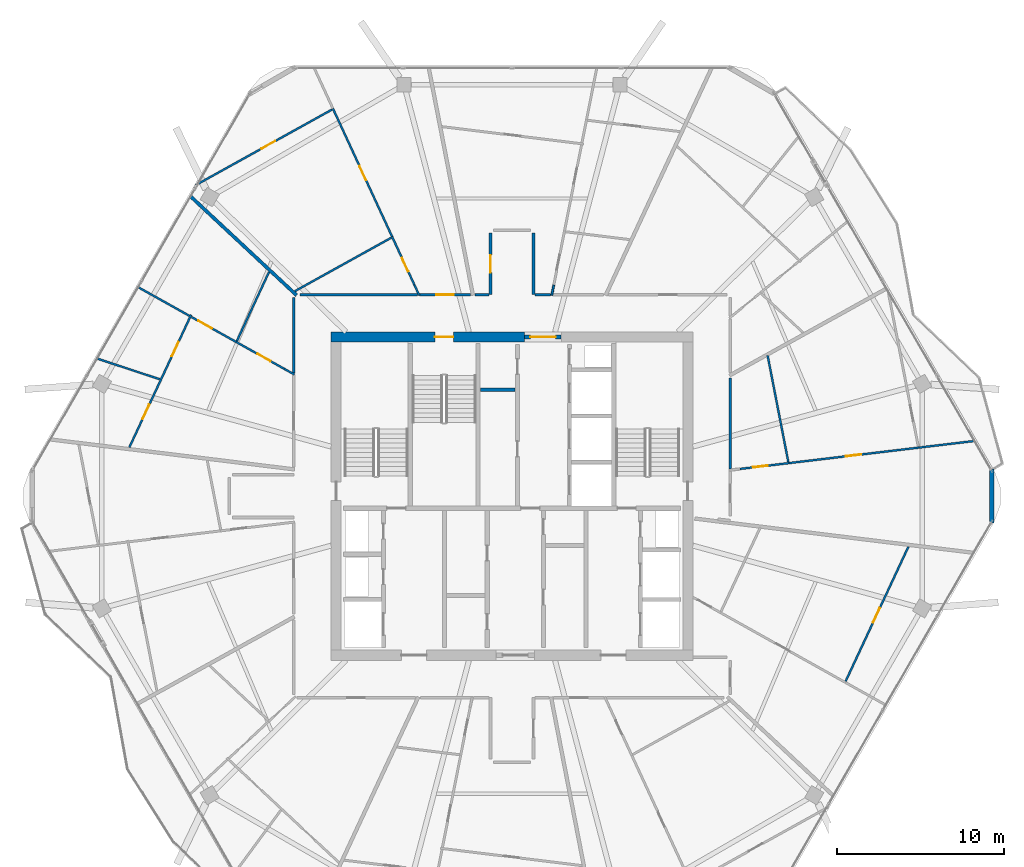
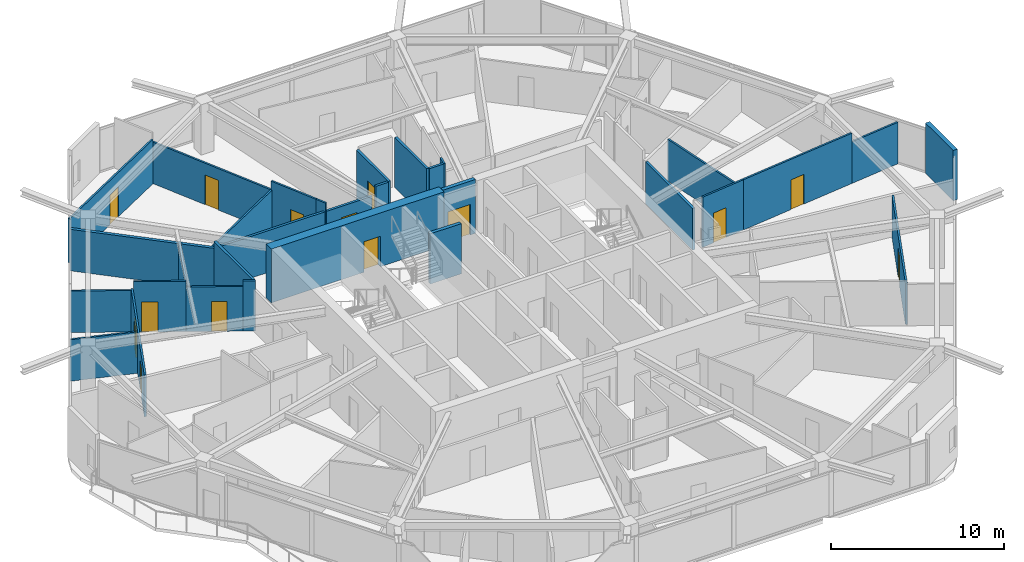
# One storey, part 21 of 26: 31 walls, 14 doors, 14 openings.
"""IFC4 building model written with IfcOpenShell, lengths in metres."""

from ifc_helpers import new_model, si_unit, direction, frame, frame_2d, origin, place, context, subcontext, project, spatial, rectangle, extrude, material, layer, layer_set, type_object, element, fill, save


model = new_model("IFC4")

# Units and contexts
model_context = context("Model", 3, precision=1e-05, world=origin(), true_north=direction((0.0, 1.0)))
body_context = subcontext(model_context, "Body", "Model", "MODEL_VIEW")
ifc_project = project(units=[si_unit("LENGTHUNIT", "METRE"), si_unit("AREAUNIT", "SQUARE_METRE"), si_unit("VOLUMEUNIT", "CUBIC_METRE"), si_unit("PLANEANGLEUNIT", "RADIAN"), si_unit("MASSUNIT", "GRAM", prefix="KILO")], contexts=[model_context])

# Site, building, storey
site_placement = place(None, origin())
site = spatial("IfcSite", under=ifc_project, at=site_placement, CompositionType="ELEMENT")
building_placement = place(site_placement, origin())
building = spatial("IfcBuilding", under=site, at=building_placement, Name="Zuhravey Tower", CompositionType="ELEMENT")
storey_placement = place(building_placement, frame((0.0, 0.0, 273.0)))
storey = spatial("IfcBuildingStorey", under=building, at=storey_placement, Name="L69", CompositionType="ELEMENT", Elevation=273.0)

# Wall, opening, door
ifc_material_1 = material(Name="Concrete C50/60", Category="concrete")
ifc_layer_1 = layer(ifc_material_1, 0.60009765625)
ifc_layer_set_1 = layer_set([ifc_layer_1], Name="Concrete C50/60")
wall_type_1 = type_object("IfcWallType", Name="Core Shear Wall 600", PredefinedType="SHEAR", material=ifc_layer_set_1)
wall_1_placement = place(storey_placement, frame((36.75, 41.5, 0.0), z_axis=(0.0, 0.0, 1.0), x_axis=(-1.0, 0.0, 0.0)))
wall_1 = element("IfcWall", 1, at=wall_1_placement, inside=storey, type_object=wall_type_1, Name="L69 North-West Core Shear Wall CW60", PredefinedType="SHEAR", context=body_context, shape_type="SweptSolid", body=[
    extrude(rectangle(XDim=11.550048828125, YDim=0.60009765625, at=frame_2d((5.77490234375, 0.0))), origin(), (0.0, 0.0, 1.0), 3.800048828125),
])
opening_1_placement = place(wall_1_placement, frame((4.25, 0.0, 0.0)))
opening_1 = element("IfcOpeningElement", 2, at=opening_1_placement, cuts=wall_1, Name="Opening STD1", PredefinedType="OPENING", context=body_context, shape_type="SweptSolid", body=[
    extrude(rectangle(XDim=1.10009765625, YDim=2.14990234375, at=frame_2d((0.550048828125, 1.074951171875))), frame((0.0, 0.31201171875, 0.0), z_axis=(0.0, -1.0, 0.0), x_axis=(1.0, 0.0, 0.0)), (0.0, 0.0, 1.0), 0.6240234375),
])
ifc_material_2 = material(Name="Galvanised fire-rated steel leaf", Category="steel")
door_type_1 = type_object("IfcDoorType", Name="Protected Stair Fire Door 1100x2150", OperationType="NOTDEFINED", PredefinedType="USERDEFINED", material=ifc_material_2)
door_1_placement = place(opening_1_placement, origin())
door_1 = element("IfcDoor", 3, at=door_1_placement, inside=storey, type_object=door_type_1, Name="L69 Stair ST3 Door", ObjectType="EXITDOOR", OperationType="SINGLE_SWING_RIGHT", OverallHeight=2.14990234375, OverallWidth=1.10009765625, PredefinedType="USERDEFINED", context=body_context, shape_type="SweptSolid", body=[
    extrude(rectangle(XDim=1.10009765625, YDim=2.14990234375, at=frame_2d((0.550048828125, 1.074951171875))), frame((0.0, 0.02490234375, 0.0), z_axis=(0.0, -1.0, 0.0), x_axis=(1.0, 0.0, 0.0)), (0.0, 0.0, 1.0), 0.050048828125),
])
fill(opening_1, door_1)

ifc_material_3 = material(Name="Gypsum fire-rated stud partition")
ifc_layer_2 = layer(ifc_material_3, 0.159912109375)
ifc_layer_set_2 = layer_set([ifc_layer_2], Name="Gypsum fire-rated stud partition")
wall_type_2 = type_object("IfcWallType", Name="Corridor Fire Partition 160", PredefinedType="PARTITIONING", material=ifc_layer_set_2)
wall_2_placement = place(storey_placement, frame((34.719970703125, 47.699951171875, 0.0), z_axis=(0.0, 0.0, 1.0), x_axis=(0.0, -1.0, 0.0)))
wall_2 = element("IfcWall", 4, at=wall_2_placement, inside=storey, type_object=wall_type_2, Name="L69 IW16 Partition 065", PredefinedType="PARTITIONING", context=body_context, shape_type="SweptSolid", body=[
    extrude(rectangle(XDim=3.669921875, YDim=0.159912109375, at=frame_2d((1.8349609375, 0.0))), origin(), (0.0, 0.0, 1.0), 3.550048828125),
])
opening_2_placement = place(wall_2_placement, frame((1.31005859375, 0.0, 0.0)))
opening_2 = element("IfcOpeningElement", 5, at=opening_2_placement, cuts=wall_2, Name="Opening APD1", PredefinedType="OPENING", context=body_context, shape_type="SweptSolid", body=[
    extrude(rectangle(XDim=1.050048828125, YDim=2.14990234375, at=frame_2d((0.52490234375, 1.074951171875))), frame((0.0, 0.092041015625, 0.0), z_axis=(0.0, -1.0, 0.0), x_axis=(1.0, 0.0, 0.0)), (0.0, 0.0, 1.0), 0.183837890625),
])
ifc_material_4 = material(Name="Solid-core oak fire-rated leaf")
door_type_2 = type_object("IfcDoorType", Name="Apartment Entrance Fire Door 1050x2150", OperationType="NOTDEFINED", PredefinedType="DOOR", material=ifc_material_4)
door_2_placement = place(opening_2_placement, origin())
door_2 = element("IfcDoor", 6, at=door_2_placement, inside=storey, type_object=door_type_2, Name="L69 Door 065.1", OperationType="SINGLE_SWING_LEFT", OverallHeight=2.14990234375, OverallWidth=1.050048828125, PredefinedType="DOOR", context=body_context, shape_type="SweptSolid", body=[
    extrude(rectangle(XDim=1.050048828125, YDim=2.14990234375, at=frame_2d((0.52490234375, 1.074951171875))), frame((0.0, 0.02490234375, 0.0), z_axis=(0.0, -1.0, 0.0), x_axis=(1.0, 0.0, 0.0)), (0.0, 0.0, 1.0), 0.050048828125),
])
fill(opening_2, door_2)

wall_3_placement = place(storey_placement, frame((33.531982421875, 44.030029296875, 0.0), z_axis=(0.0, 0.0, 1.0), x_axis=(-1.0, 0.0, 0.0)))
wall_3 = element("IfcWall", 7, at=wall_3_placement, inside=storey, type_object=wall_type_2, Name="L69 IW16 Partition 069", PredefinedType="PARTITIONING", context=body_context, shape_type="SweptSolid", body=[
    extrude(rectangle(XDim=3.068603515625, YDim=0.159912109375, at=frame_2d((1.5341796875, 0.0))), origin(), (0.0, 0.0, 1.0), 2.949951171875),
])
opening_3_placement = place(wall_3_placement, frame((1.00927734375, 0.0, 0.0)))
opening_3 = element("IfcOpeningElement", 8, at=opening_3_placement, cuts=wall_3, Name="Opening APD1", PredefinedType="OPENING", context=body_context, shape_type="SweptSolid", body=[
    extrude(rectangle(XDim=1.050048828125, YDim=2.14990234375, at=frame_2d((0.52490234375, 1.074951171875))), frame((0.0, 0.092041015625, 0.0), z_axis=(0.0, -1.0, 0.0), x_axis=(1.0, 0.0, 0.0)), (0.0, 0.0, 1.0), 0.183837890625),
])
door_3_placement = place(opening_3_placement, frame((1.050048828125, 0.0, 0.0), z_axis=(0.0, 0.0, 1.0), x_axis=(-1.0, 0.0, 0.0)))
door_3 = element("IfcDoor", 9, at=door_3_placement, inside=storey, type_object=door_type_2, Name="L69 Door 069.1", OperationType="SINGLE_SWING_LEFT", OverallHeight=2.14990234375, OverallWidth=1.050048828125, PredefinedType="DOOR", context=body_context, shape_type="SweptSolid", body=[
    extrude(rectangle(XDim=1.050048828125, YDim=2.14990234375, at=frame_2d((0.52490234375, 1.074951171875))), frame((0.0, 0.02490234375, 0.0), z_axis=(0.0, -1.0, 0.0), x_axis=(1.0, 0.0, 0.0)), (0.0, 0.0, 1.0), 0.050048828125),
])
fill(opening_3, door_3)

# Walls
wall_4_placement = place(storey_placement, frame((22.969970703125, 43.85009765625, 0.0), z_axis=(0.0, 0.0, 1.0), x_axis=(0.0, -1.0, 0.0)))
element("IfcWall", 10, at=wall_4_placement, inside=storey, type_object=wall_type_2, Name="L69 IW16 Partition 113", PredefinedType="PARTITIONING", context=body_context, shape_type="SweptSolid", body=[
    extrude(rectangle(XDim=4.489990234375, YDim=0.159912109375, at=frame_2d((2.2451171875, 0.0))), origin(), (0.0, 0.0, 1.0), 3.550048828125),
])
wall_5_placement = place(storey_placement, frame((49.030029296875, 33.622314453125, 0.0), z_axis=(0.0, 0.0, 1.0), x_axis=(0.0, 1.0, 0.0)))
element("IfcWall", 11, at=wall_5_placement, inside=storey, type_object=wall_type_2, Name="L69 IW16 Partition 126", PredefinedType="PARTITIONING", context=body_context, shape_type="SweptSolid", body=[
    extrude(rectangle(XDim=5.4296875, YDim=0.159912109375, at=frame_2d((2.71484375, 0.0))), origin(), (0.0, 0.0, 1.0), 2.949951171875),
])
wall_6_placement = place(storey_placement, frame((37.280029296875, 44.030029296875, 0.0), z_axis=(0.0, 0.0, 1.0), x_axis=(0.0, 1.0, 0.0)))
element("IfcWall", 12, at=wall_6_placement, inside=storey, type_object=wall_type_2, Name="L69 IW16 Partition 129", PredefinedType="PARTITIONING", context=body_context, shape_type="SweptSolid", body=[
    extrude(rectangle(XDim=3.669921875, YDim=0.159912109375, at=frame_2d((1.8349609375, 0.0))), origin(), (0.0, 0.0, 1.0), 3.550048828125),
])
wall_7_placement = place(storey_placement, frame((38.312744140625, 44.030029296875, 0.0), z_axis=(0.0, 0.0, 1.0), x_axis=(-1.0, 0.0, 0.0)))
element("IfcWall", 13, at=wall_7_placement, inside=storey, type_object=wall_type_2, Name="L69 IW16 Partition 131", PredefinedType="PARTITIONING", context=body_context, shape_type="SweptSolid", body=[
    extrude(rectangle(XDim=0.94482421875, YDim=0.159912109375, at=frame_2d((0.472412109375, 0.0))), origin(), (0.0, 0.0, 1.0), 3.550048828125),
])
wall_8_placement = place(storey_placement, frame((34.632080078125, 44.030029296875, 0.0), z_axis=(0.0, 0.0, 1.0), x_axis=(-1.0, 0.0, 0.0)))
element("IfcWall", 14, at=wall_8_placement, inside=storey, type_object=wall_type_2, Name="L69 IW16 Partition 132", PredefinedType="PARTITIONING", context=body_context, shape_type="SweptSolid", body=[
    extrude(rectangle(XDim=0.84130859375, YDim=0.159912109375, at=frame_2d((0.420654296875, 0.0))), origin(), (0.0, 0.0, 1.0), 3.550048828125),
])
wall_9_placement = place(storey_placement, frame((30.366455078125, 44.030029296875, 0.0), z_axis=(0.0, 0.0, 1.0), x_axis=(-1.0, 0.0, 0.0)))
element("IfcWall", 15, at=wall_9_placement, inside=storey, type_object=wall_type_2, Name="L69 IW16 Partition 134", PredefinedType="PARTITIONING", context=body_context, shape_type="SweptSolid", body=[
    extrude(rectangle(XDim=7.014404296875, YDim=0.159912109375, at=frame_2d((3.50732421875, 0.0))), origin(), (0.0, 0.0, 1.0), 2.949951171875),
])
ifc_material_5 = material(Name="Precast concrete C40/50", Category="concrete")
ifc_layer_3 = layer(ifc_material_5, 0.280029296875)
ifc_layer_set_3 = layer_set([ifc_layer_3], Name="Precast concrete C40/50")
wall_type_3 = type_object("IfcWallType", Name="Crown Architectural Wall 280", PredefinedType="SOLIDWALL", material=ifc_layer_set_3)
wall_10_placement = place(storey_placement, frame((64.64501953125, 33.607421875, 0.0), z_axis=(0.0, 0.0, 1.0), x_axis=(0.0, -1.0, 0.0)))
element("IfcWall", 16, at=wall_10_placement, inside=storey, type_object=wall_type_3, Name="L69 Rounded Corner Closure Wall EW28-12", PredefinedType="SOLIDWALL", context=body_context, shape_type="SweptSolid", body=[
    extrude(rectangle(XDim=3.21484375, YDim=0.280029296875, at=frame_2d((1.607421875, 0.0))), origin(), (0.0, 0.0, 1.0), 3.550048828125),
])

# Wall, opening, door
ifc_layer_4 = layer(ifc_material_1, 0.25)
ifc_layer_set_4 = layer_set([ifc_layer_4], Name="Concrete C50/60")
wall_type_4 = type_object("IfcWallType", Name="Firefighting Shaft & Stair Wall 250", PredefinedType="SOLIDWALL", material=ifc_layer_set_4)
wall_11_placement = place(storey_placement, frame((36.760009765625, 41.5, 0.0), z_axis=(0.0, 0.0, 1.0), x_axis=(1.0, 0.0, 0.0)))
wall_11 = element("IfcWall", 17, at=wall_11_placement, inside=storey, type_object=wall_type_4, Name="L69 FW25 Shaft Wall 002", PredefinedType="SOLIDWALL", context=body_context, shape_type="SweptSolid", body=[
    extrude(rectangle(XDim=2.179931640625, YDim=0.25, at=frame_2d((1.08984375, 0.0))), origin(), (0.0, 0.0, 1.0), 3.800048828125),
])
opening_4_placement = place(wall_11_placement, frame((0.340087890625, 0.0, 0.0)))
opening_4 = element("IfcOpeningElement", 18, at=opening_4_placement, cuts=wall_11, Name="Opening FFD1", PredefinedType="OPENING", context=body_context, shape_type="SweptSolid", body=[
    extrude(rectangle(XDim=1.5, YDim=2.14990234375, at=frame_2d((0.75, 1.074951171875))), frame((0.0, 0.136962890625, 0.0), z_axis=(0.0, -1.0, 0.0), x_axis=(1.0, 0.0, 0.0)), (0.0, 0.0, 1.0), 0.27392578125),
])
door_type_3 = type_object("IfcDoorType", Name="Firefighting Lobby Double Door 1500x2150", OperationType="DOUBLE_DOOR_SINGLE_SWING", PredefinedType="DOOR", material=ifc_material_2)
door_4_placement = place(opening_4_placement, origin())
door_4 = element("IfcDoor", 19, at=door_4_placement, inside=storey, type_object=door_type_3, Name="L69 North Lift Lobby Exit Door", OperationType="DOUBLE_DOOR_SINGLE_SWING", OverallHeight=2.14990234375, OverallWidth=1.5, PredefinedType="DOOR", context=body_context, shape_type="SweptSolid", body=[
    extrude(rectangle(XDim=1.5, YDim=2.14990234375, at=frame_2d((0.75, 1.074951171875))), frame((0.0, 0.02490234375, 0.0), z_axis=(0.0, -1.0, 0.0), x_axis=(1.0, 0.0, 0.0)), (0.0, 0.0, 1.0), 0.050048828125),
])
fill(opening_4, door_4)

# Walls
ifc_material_6 = material(Name="Gypsum double-stud party assembly")
ifc_layer_5 = layer(ifc_material_6, 0.199951171875)
ifc_layer_set_5 = layer_set([ifc_layer_5], Name="Gypsum double-stud party assembly")
wall_type_5 = type_object("IfcWallType", Name="Inter-Tenancy Party Wall 200", PredefinedType="PARTITIONING", material=ifc_layer_set_5)
wall_12_placement = place(storey_placement, frame((23.142578125, 43.989501953125, 0.0), z_axis=(0.0, 0.0, 1.0), x_axis=(-0.731342217011, 0.682010675589, 0.0)))
element("IfcWall", 20, at=wall_12_placement, inside=storey, type_object=wall_type_5, Name="L69 IW20 Partition 074", PredefinedType="PARTITIONING", context=body_context, shape_type="SweptSolid", body=[
    extrude(rectangle(XDim=8.65576171875, YDim=0.199951171875, at=frame_2d((4.327880859375, 0.0))), origin(), (0.0, 0.0, 1.0), 2.929931640625),
])
ifc_material_7 = material(Name="Gypsum acoustic stud assembly")
ifc_layer_6 = layer(ifc_material_7, 0.219970703125)
ifc_layer_set_6 = layer_set([ifc_layer_6], Name="Gypsum acoustic stud assembly")
wall_type_6 = type_object("IfcWallType", Name="School Acoustic Compartment Wall 220", PredefinedType="PARTITIONING", material=ifc_layer_set_6)
wall_13_placement = place(storey_placement, frame((34.10791015625, 38.35009765625, 0.0), z_axis=(0.0, 0.0, 1.0), x_axis=(1.0, 0.0, 0.0)))
element("IfcWall", 21, at=wall_13_placement, inside=storey, type_object=wall_type_6, Name="L69 IW22 Partition 070", PredefinedType="PARTITIONING", context=body_context, shape_type="SweptSolid", body=[
    extrude(rectangle(XDim=2.083984375, YDim=0.219970703125, at=frame_2d((1.0419921875, 0.0))), origin(), (0.0, 0.0, 1.0), 3.550048828125),
])

# Wall, openings, doors
ifc_material_8 = material(Name="Gypsum metal-stud partition")
ifc_layer_7 = layer(ifc_material_8, 0.1201171875)
ifc_layer_set_7 = layer_set([ifc_layer_7], Name="Gypsum metal-stud partition")
wall_type_7 = type_object("IfcWallType", Name="Unit Internal Partition 120", PredefinedType="PARTITIONING", material=ifc_layer_set_7)
wall_14_placement = place(storey_placement, frame((16.843017578125, 42.821044921875, 0.0), z_axis=(0.0, 0.0, 1.0), x_axis=(-0.422622187682, -0.90630595633, 0.0)))
wall_14 = element("IfcWall", 22, at=wall_14_placement, inside=storey, type_object=wall_type_7, Name="L69 IW12 Partition 021", PredefinedType="PARTITIONING", context=body_context, shape_type="SweptSolid", body=[
    extrude(rectangle(XDim=8.732177734375, YDim=0.1201171875, at=frame_2d((4.3662109375, 0.0))), origin(), (0.0, 0.0, 1.0), 2.949951171875),
])
opening_5_placement = place(wall_14_placement, frame((1.780029296875, 0.0, 0.0)))
opening_5 = element("IfcOpeningElement", 23, at=opening_5_placement, cuts=wall_14, Name="Opening IND1", PredefinedType="OPENING", context=body_context, shape_type="SweptSolid", body=[
    extrude(rectangle(XDim=0.949951171875, YDim=2.10009765625, at=frame_2d((0.47509765625, 1.050048828125))), frame((0.0, 0.072021484375, 0.0), z_axis=(0.0, -1.0, 0.0), x_axis=(1.0, 0.0, 0.0)), (0.0, 0.0, 1.0), 0.14404296875),
])
opening_6_placement = place(wall_14_placement, frame((5.905517578125, 0.0, 0.0)))
opening_6 = element("IfcOpeningElement", 24, at=opening_6_placement, cuts=wall_14, Name="Opening IND1", PredefinedType="OPENING", context=body_context, shape_type="SweptSolid", body=[
    extrude(rectangle(XDim=0.949951171875, YDim=2.10009765625, at=frame_2d((0.47509765625, 1.050048828125))), frame((0.0, 0.072021484375, 0.0), z_axis=(0.0, -1.0, 0.0), x_axis=(1.0, 0.0, 0.0)), (0.0, 0.0, 1.0), 0.14404296875),
])
ifc_material_9 = material(Name="Painted engineered timber leaf", Category="wood")
door_type_4 = type_object("IfcDoorType", Name="Internal Room & Bedroom Door 950x2100", OperationType="NOTDEFINED", PredefinedType="DOOR", material=ifc_material_9)
door_5_placement = place(opening_5_placement, frame((0.949951171875, 0.0, 0.0), z_axis=(0.0, 0.0, 1.0), x_axis=(-1.0, 0.0, 0.0)))
door_5 = element("IfcDoor", 25, at=door_5_placement, inside=storey, type_object=door_type_4, Name="Apartment L69-01 Family Study Door", OperationType="SINGLE_SWING_RIGHT", OverallHeight=2.10009765625, OverallWidth=0.949951171875, PredefinedType="DOOR", context=body_context, shape_type="SweptSolid", body=[
    extrude(rectangle(XDim=0.949951171875, YDim=2.10009765625, at=frame_2d((0.47509765625, 1.050048828125))), frame((0.0, 0.02490234375, 0.0), z_axis=(0.0, -1.0, 0.0), x_axis=(1.0, 0.0, 0.0)), (0.0, 0.0, 1.0), 0.050048828125),
])
fill(opening_5, door_5)
door_6_placement = place(opening_6_placement, frame((0.949951171875, 0.0, 0.0), z_axis=(0.0, 0.0, 1.0), x_axis=(-1.0, 0.0, 0.0)))
door_6 = element("IfcDoor", 26, at=door_6_placement, inside=storey, type_object=door_type_4, Name="Apartment L69-01 Dining Room Door", OperationType="SINGLE_SWING_LEFT", OverallHeight=2.10009765625, OverallWidth=0.949951171875, PredefinedType="DOOR", context=body_context, shape_type="SweptSolid", body=[
    extrude(rectangle(XDim=0.949951171875, YDim=2.10009765625, at=frame_2d((0.47509765625, 1.050048828125))), frame((0.0, 0.02490234375, 0.0), z_axis=(0.0, -1.0, 0.0), x_axis=(1.0, 0.0, 0.0)), (0.0, 0.0, 1.0), 0.050048828125),
])
fill(opening_6, door_6)

# Wall, opening, door
wall_15_placement = place(storey_placement, frame((22.39990234375, 39.600830078125, 0.0), z_axis=(0.0, 0.0, 1.0), x_axis=(-0.8729286445, 0.487847908279, 0.0)))
wall_15 = element("IfcWall", 27, at=wall_15_placement, inside=storey, type_object=wall_type_7, Name="L69 IW12 Partition 022", PredefinedType="PARTITIONING", context=body_context, shape_type="SweptSolid", body=[
    extrude(rectangle(XDim=3.29736328125, YDim=0.1201171875, at=frame_2d((1.648681640625, 0.0))), origin(), (0.0, 0.0, 1.0), 3.14990234375),
])
opening_7_placement = place(wall_15_placement, frame((0.934814453125, 0.0, 0.0)))
opening_7 = element("IfcOpeningElement", 28, at=opening_7_placement, cuts=wall_15, Name="Opening WCD1", PredefinedType="OPENING", context=body_context, shape_type="SweptSolid", body=[
    extrude(rectangle(XDim=0.89990234375, YDim=2.10009765625, at=frame_2d((0.449951171875, 1.050048828125))), frame((0.0, 0.072021484375, 0.0), z_axis=(0.0, -1.0, 0.0), x_axis=(1.0, 0.0, 0.0)), (0.0, 0.0, 1.0), 0.14404296875),
])
ifc_material_10 = material(Name="Moisture-resistant timber leaf", Category="wood")
door_type_5 = type_object("IfcDoorType", Name="Bathroom & WC Internal Door 900x2100", OperationType="NOTDEFINED", PredefinedType="DOOR", material=ifc_material_10)
door_7_placement = place(opening_7_placement, frame((0.89990234375, 0.0, 0.0), z_axis=(0.0, 0.0, 1.0), x_axis=(-1.0, 0.0, 0.0)))
door_7 = element("IfcDoor", 29, at=door_7_placement, inside=storey, type_object=door_type_5, Name="Apartment L69-01 Bathroom Door", OperationType="SINGLE_SWING_RIGHT", OverallHeight=2.10009765625, OverallWidth=0.89990234375, PredefinedType="DOOR", context=body_context, shape_type="SweptSolid", body=[
    extrude(rectangle(XDim=0.89990234375, YDim=2.10009765625, at=frame_2d((0.449951171875, 1.050048828125))), frame((0.0, 0.02490234375, 0.0), z_axis=(0.0, -1.0, 0.0), x_axis=(1.0, 0.0, 0.0)), (0.0, 0.0, 1.0), 0.050048828125),
])
fill(opening_7, door_7)

wall_16_placement = place(storey_placement, frame((19.521484375, 41.20947265625, 0.0), z_axis=(0.0, 0.0, 1.0), x_axis=(-0.87290035316, 0.487898527824, 0.0)))
wall_16 = element("IfcWall", 30, at=wall_16_placement, inside=storey, type_object=wall_type_7, Name="L69 IW12 Partition 023", PredefinedType="PARTITIONING", context=body_context, shape_type="SweptSolid", body=[
    extrude(rectangle(XDim=3.048828125, YDim=0.1201171875, at=frame_2d((1.5244140625, 0.0))), origin(), (0.0, 0.0, 1.0), 3.550048828125),
])
opening_8_placement = place(wall_16_placement, frame((1.6328125, 0.0, 0.0)))
opening_8 = element("IfcOpeningElement", 31, at=opening_8_placement, cuts=wall_16, Name="Opening IND1", PredefinedType="OPENING", context=body_context, shape_type="SweptSolid", body=[
    extrude(rectangle(XDim=0.949951171875, YDim=2.10009765625, at=frame_2d((0.47509765625, 1.050048828125))), frame((0.0, 0.072021484375, 0.0), z_axis=(0.0, -1.0, 0.0), x_axis=(1.0, 0.0, 0.0)), (0.0, 0.0, 1.0), 0.14404296875),
])
door_8_placement = place(opening_8_placement, frame((0.949951171875, 0.0, 0.0), z_axis=(0.0, 0.0, 1.0), x_axis=(-1.0, 0.0, 0.0)))
door_8 = element("IfcDoor", 32, at=door_8_placement, inside=storey, type_object=door_type_4, Name="Apartment L69-01 Bedroom 1 Door", OperationType="SINGLE_SWING_LEFT", OverallHeight=2.10009765625, OverallWidth=0.949951171875, PredefinedType="DOOR", context=body_context, shape_type="SweptSolid", body=[
    extrude(rectangle(XDim=0.949951171875, YDim=2.10009765625, at=frame_2d((0.47509765625, 1.050048828125))), frame((0.0, 0.02490234375, 0.0), z_axis=(0.0, -1.0, 0.0), x_axis=(1.0, 0.0, 0.0)), (0.0, 0.0, 1.0), 0.050048828125),
])
fill(opening_8, door_8)

# Wall
wall_17_placement = place(storey_placement, frame((16.740966796875, 42.763427734375, 0.0), z_axis=(0.0, 0.0, 1.0), x_axis=(-0.872910360515, 0.487880623212, 0.0)))
element("IfcWall", 33, at=wall_17_placement, inside=storey, type_object=wall_type_7, Name="L69 IW12 Partition 024", PredefinedType="PARTITIONING", context=body_context, shape_type="SweptSolid", body=[
    extrude(rectangle(XDim=3.50830078125, YDim=0.1201171875, at=frame_2d((1.754150390625, 0.0))), origin(), (0.0, 0.0, 1.0), 2.929931640625),
])

# Wall, opening, door
wall_18_placement = place(storey_placement, frame((55.919677734375, 20.9453125, 0.0), z_axis=(0.0, 0.0, 1.0), x_axis=(0.422606705523, 0.9063131757, 0.0)))
wall_18 = element("IfcWall", 34, at=wall_18_placement, inside=storey, type_object=wall_type_7, Name="L69 IW12 Partition 049", PredefinedType="PARTITIONING", context=body_context, shape_type="SweptSolid", body=[
    extrude(rectangle(XDim=8.87060546875, YDim=0.1201171875, at=frame_2d((4.435302734375, 0.0))), origin(), (0.0, 0.0, 1.0), 2.949951171875),
])
opening_9_placement = place(wall_18_placement, frame((3.876220703125, 0.0, 0.0)))
opening_9 = element("IfcOpeningElement", 35, at=opening_9_placement, cuts=wall_18, Name="Opening IND1", PredefinedType="OPENING", context=body_context, shape_type="SweptSolid", body=[
    extrude(rectangle(XDim=0.949951171875, YDim=2.10009765625, at=frame_2d((0.47509765625, 1.050048828125))), frame((0.0, 0.072021484375, 0.0), z_axis=(0.0, -1.0, 0.0), x_axis=(1.0, 0.0, 0.0)), (0.0, 0.0, 1.0), 0.14404296875),
])
door_9_placement = place(opening_9_placement, frame((0.949951171875, 0.0, 0.0), z_axis=(0.0, 0.0, 1.0), x_axis=(-1.0, 0.0, 0.0)))
door_9 = element("IfcDoor", 36, at=door_9_placement, inside=storey, type_object=door_type_4, Name="Apartment L69-06 Bedroom 1 Door", OperationType="SINGLE_SWING_RIGHT", OverallHeight=2.10009765625, OverallWidth=0.949951171875, PredefinedType="DOOR", context=body_context, shape_type="SweptSolid", body=[
    extrude(rectangle(XDim=0.949951171875, YDim=2.10009765625, at=frame_2d((0.47509765625, 1.050048828125))), frame((0.0, 0.02490234375, 0.0), z_axis=(0.0, -1.0, 0.0), x_axis=(1.0, 0.0, 0.0)), (0.0, 0.0, 1.0), 0.050048828125),
])
fill(opening_9, door_9)

wall_19_placement = place(storey_placement, frame((49.60009765625, 33.62158203125, 0.0), z_axis=(0.0, 0.0, 1.0), x_axis=(0.992962166998, 0.11843198432, 0.0)))
wall_19 = element("IfcWall", 37, at=wall_19_placement, inside=storey, type_object=wall_type_7, Name="L69 IW12 Partition 051", PredefinedType="PARTITIONING", context=body_context, shape_type="SweptSolid", body=[
    extrude(rectangle(XDim=2.9560546875, YDim=0.1201171875, at=frame_2d((1.47802734375, 0.0))), origin(), (0.0, 0.0, 1.0), 3.550048828125),
])
opening_10_placement = place(wall_19_placement, frame((0.79150390625, 0.0, 0.0)))
opening_10 = element("IfcOpeningElement", 38, at=opening_10_placement, cuts=wall_19, Name="Opening WCD1", PredefinedType="OPENING", context=body_context, shape_type="SweptSolid", body=[
    extrude(rectangle(XDim=0.89990234375, YDim=2.10009765625, at=frame_2d((0.449951171875, 1.050048828125))), frame((0.0, 0.072021484375, 0.0), z_axis=(0.0, -1.0, 0.0), x_axis=(1.0, 0.0, 0.0)), (0.0, 0.0, 1.0), 0.14404296875),
])
door_10_placement = place(opening_10_placement, origin())
door_10 = element("IfcDoor", 39, at=door_10_placement, inside=storey, type_object=door_type_5, Name="Apartment L69-07 Bathroom Door", OperationType="SINGLE_SWING_RIGHT", OverallHeight=2.10009765625, OverallWidth=0.89990234375, PredefinedType="DOOR", context=body_context, shape_type="SweptSolid", body=[
    extrude(rectangle(XDim=0.89990234375, YDim=2.10009765625, at=frame_2d((0.449951171875, 1.050048828125))), frame((0.0, 0.02490234375, 0.0), z_axis=(0.0, -1.0, 0.0), x_axis=(1.0, 0.0, 0.0)), (0.0, 0.0, 1.0), 0.050048828125),
])
fill(opening_10, door_10)

wall_20_placement = place(storey_placement, frame((52.535400390625, 33.9716796875, 0.0), z_axis=(0.0, 0.0, 1.0), x_axis=(0.992965116169, 0.118407255145, 0.0)))
wall_20 = element("IfcWall", 40, at=wall_20_placement, inside=storey, type_object=wall_type_7, Name="L69 IW12 Partition 052", PredefinedType="PARTITIONING", context=body_context, shape_type="SweptSolid", body=[
    extrude(rectangle(XDim=7.814453125, YDim=0.1201171875, at=frame_2d((3.9072265625, 0.0))), origin(), (0.0, 0.0, 1.0), 3.550048828125),
])
opening_11_placement = place(wall_20_placement, frame((3.4072265625, 0.0, 0.0)))
opening_11 = element("IfcOpeningElement", 41, at=opening_11_placement, cuts=wall_20, Name="Opening IND1", PredefinedType="OPENING", context=body_context, shape_type="SweptSolid", body=[
    extrude(rectangle(XDim=0.949951171875, YDim=2.10009765625, at=frame_2d((0.47509765625, 1.050048828125))), frame((0.0, 0.072021484375, 0.0), z_axis=(0.0, -1.0, 0.0), x_axis=(1.0, 0.0, 0.0)), (0.0, 0.0, 1.0), 0.14404296875),
])
door_11_placement = place(opening_11_placement, origin())
door_11 = element("IfcDoor", 42, at=door_11_placement, inside=storey, type_object=door_type_4, Name="Apartment L69-07 Home Office Door", OperationType="SINGLE_SWING_LEFT", OverallHeight=2.10009765625, OverallWidth=0.949951171875, PredefinedType="DOOR", context=body_context, shape_type="SweptSolid", body=[
    extrude(rectangle(XDim=0.949951171875, YDim=2.10009765625, at=frame_2d((0.47509765625, 1.050048828125))), frame((0.0, 0.02490234375, 0.0), z_axis=(0.0, -1.0, 0.0), x_axis=(1.0, 0.0, 0.0)), (0.0, 0.0, 1.0), 0.050048828125),
])
fill(opening_11, door_11)

wall_21_placement = place(storey_placement, frame((30.177978515625, 44.60009765625, 0.0), z_axis=(0.0, 0.0, 1.0), x_axis=(-0.419438119549, 0.907783930167, 0.0)))
wall_21 = element("IfcWall", 43, at=wall_21_placement, inside=storey, type_object=wall_type_7, Name="L69 IW12 Partition 066", PredefinedType="PARTITIONING", context=body_context, shape_type="SweptSolid", body=[
    extrude(rectangle(XDim=3.177978515625, YDim=0.1201171875, at=frame_2d((1.5888671875, 0.0))), origin(), (0.0, 0.0, 1.0), 3.550048828125),
])
opening_12_placement = place(wall_21_placement, frame((0.884765625, 0.0, 0.0)))
opening_12 = element("IfcOpeningElement", 44, at=opening_12_placement, cuts=wall_21, Name="Opening WCD1", PredefinedType="OPENING", context=body_context, shape_type="SweptSolid", body=[
    extrude(rectangle(XDim=0.89990234375, YDim=2.10009765625, at=frame_2d((0.449951171875, 1.050048828125))), frame((0.0, 0.072021484375, 0.0), z_axis=(0.0, -1.0, 0.0), x_axis=(1.0, 0.0, 0.0)), (0.0, 0.0, 1.0), 0.14404296875),
])
door_12_placement = place(opening_12_placement, origin())
door_12 = element("IfcDoor", 45, at=door_12_placement, inside=storey, type_object=door_type_5, Name="Apartment L69-10 Bathroom Door", OperationType="SINGLE_SWING_RIGHT", OverallHeight=2.10009765625, OverallWidth=0.89990234375, PredefinedType="DOOR", context=body_context, shape_type="SweptSolid", body=[
    extrude(rectangle(XDim=0.89990234375, YDim=2.10009765625, at=frame_2d((0.449951171875, 1.050048828125))), frame((0.0, 0.02490234375, 0.0), z_axis=(0.0, -1.0, 0.0), x_axis=(1.0, 0.0, 0.0)), (0.0, 0.0, 1.0), 0.050048828125),
])
fill(opening_12, door_12)

wall_22_placement = place(storey_placement, frame((28.844970703125, 47.485107421875, 0.0), z_axis=(0.0, 0.0, 1.0), x_axis=(-0.419453006553, 0.907777051535, 0.0)))
wall_22 = element("IfcWall", 46, at=wall_22_placement, inside=storey, type_object=wall_type_7, Name="L69 IW12 Partition 067", PredefinedType="PARTITIONING", context=body_context, shape_type="SweptSolid", body=[
    extrude(rectangle(XDim=8.4296875, YDim=0.1201171875, at=frame_2d((4.21484375, 0.0))), origin(), (0.0, 0.0, 1.0), 2.929931640625),
])
opening_13_placement = place(wall_22_placement, frame((3.71484375, 0.0, 0.0)))
opening_13 = element("IfcOpeningElement", 47, at=opening_13_placement, cuts=wall_22, Name="Opening IND1", PredefinedType="OPENING", context=body_context, shape_type="SweptSolid", body=[
    extrude(rectangle(XDim=0.949951171875, YDim=2.10009765625, at=frame_2d((0.47509765625, 1.050048828125))), frame((0.0, 0.072021484375, 0.0), z_axis=(0.0, -1.0, 0.0), x_axis=(1.0, 0.0, 0.0)), (0.0, 0.0, 1.0), 0.14404296875),
])
door_13_placement = place(opening_13_placement, origin())
door_13 = element("IfcDoor", 48, at=door_13_placement, inside=storey, type_object=door_type_4, Name="Apartment L69-10 Home Office Door", OperationType="SINGLE_SWING_LEFT", OverallHeight=2.10009765625, OverallWidth=0.949951171875, PredefinedType="DOOR", context=body_context, shape_type="SweptSolid", body=[
    extrude(rectangle(XDim=0.949951171875, YDim=2.10009765625, at=frame_2d((0.47509765625, 1.050048828125))), frame((0.0, 0.02490234375, 0.0), z_axis=(0.0, -1.0, 0.0), x_axis=(1.0, 0.0, 0.0)), (0.0, 0.0, 1.0), 0.050048828125),
])
fill(opening_13, door_13)

wall_23_placement = place(storey_placement, frame((25.260009765625, 55.081787109375, 0.0), z_axis=(0.0, 0.0, 1.0), x_axis=(-0.874617638419, -0.484813352298, 0.0)))
wall_23 = element("IfcWall", 49, at=wall_23_placement, inside=storey, type_object=wall_type_7, Name="L69 IW12 Partition 068", PredefinedType="PARTITIONING", context=body_context, shape_type="SweptSolid", body=[
    extrude(rectangle(XDim=9.32275390625, YDim=0.1201171875, at=frame_2d((4.661376953125, 0.0))), origin(), (0.0, 0.0, 1.0), 3.1220703125),
])
opening_14_placement = place(wall_23_placement, frame((3.882080078125, 0.0, 0.0)))
opening_14 = element("IfcOpeningElement", 50, at=opening_14_placement, cuts=wall_23, Name="Opening IND1", PredefinedType="OPENING", context=body_context, shape_type="SweptSolid", body=[
    extrude(rectangle(XDim=0.949951171875, YDim=2.10009765625, at=frame_2d((0.47509765625, 1.050048828125))), frame((0.0, 0.072021484375, 0.0), z_axis=(0.0, -1.0, 0.0), x_axis=(1.0, 0.0, 0.0)), (0.0, 0.0, 1.0), 0.14404296875),
])
door_14_placement = place(opening_14_placement, frame((0.949951171875, 0.0, 0.0), z_axis=(0.0, 0.0, 1.0), x_axis=(-1.0, 0.0, 0.0)))
door_14 = element("IfcDoor", 51, at=door_14_placement, inside=storey, type_object=door_type_4, Name="Apartment L69-10 Bedroom 1 Door", OperationType="SINGLE_SWING_RIGHT", OverallHeight=2.10009765625, OverallWidth=0.949951171875, PredefinedType="DOOR", context=body_context, shape_type="SweptSolid", body=[
    extrude(rectangle(XDim=0.949951171875, YDim=2.10009765625, at=frame_2d((0.47509765625, 1.050048828125))), frame((0.0, 0.02490234375, 0.0), z_axis=(0.0, -1.0, 0.0), x_axis=(1.0, 0.0, 0.0)), (0.0, 0.0, 1.0), 0.050048828125),
])
fill(opening_14, door_14)

# Walls
wall_24_placement = place(storey_placement, frame((14.97412109375, 38.97412109375, 0.0), z_axis=(0.0, 0.0, 1.0), x_axis=(-0.949166828302, 0.31477346148, 0.0)))
element("IfcWall", 52, at=wall_24_placement, inside=storey, type_object=wall_type_7, Name="L69 IW12 Partition 075", PredefinedType="PARTITIONING", context=body_context, shape_type="SweptSolid", body=[
    extrude(rectangle(XDim=3.979736328125, YDim=0.1201171875, at=frame_2d((1.98974609375, 0.0))), origin(), (0.0, 0.0, 1.0), 2.929931640625),
])
wall_25_placement = place(storey_placement, frame((23.010986328125, 39.25927734375, 0.0), z_axis=(0.0, 0.0, 1.0), x_axis=(-0.872904168108, 0.48789170243, 0.0)))
element("IfcWall", 53, at=wall_25_placement, inside=storey, type_object=wall_type_7, Name="L69 IW12 Partition 076", PredefinedType="PARTITIONING", context=body_context, shape_type="SweptSolid", body=[
    extrude(rectangle(XDim=0.699951171875, YDim=0.1201171875, at=frame_2d((0.35009765625, 0.0))), origin(), (0.0, 0.0, 1.0), 3.550048828125),
])
wall_26_placement = place(storey_placement, frame((21.49365234375, 45.379638671875, 0.0), z_axis=(0.0, 0.0, 1.0), x_axis=(-0.422603236373, -0.906314793329, 0.0)))
element("IfcWall", 54, at=wall_26_placement, inside=storey, type_object=wall_type_7, Name="L69 IW12 Partition 077", PredefinedType="PARTITIONING", context=body_context, shape_type="SweptSolid", body=[
    extrude(rectangle(XDim=4.546630859375, YDim=0.1201171875, at=frame_2d((2.2734375, 0.0))), origin(), (0.0, 0.0, 1.0), 3.14990234375),
])
wall_27_placement = place(storey_placement, frame((60.294921875, 34.89697265625, 0.0), z_axis=(0.0, 0.0, 1.0), x_axis=(0.992966251005, 0.118397738005, 0.0)))
element("IfcWall", 55, at=wall_27_placement, inside=storey, type_object=wall_type_7, Name="L69 IW12 Partition 099", PredefinedType="PARTITIONING", context=body_context, shape_type="SweptSolid", body=[
    extrude(rectangle(XDim=3.3486328125, YDim=0.1201171875, at=frame_2d((1.67431640625, 0.0))), origin(), (0.0, 0.0, 1.0), 2.929931640625),
])
wall_28_placement = place(storey_placement, frame((52.49755859375, 34.03564453125, 0.0), z_axis=(0.0, 0.0, 1.0), x_axis=(-0.190812206092, 0.981626559342, 0.0)))
element("IfcWall", 56, at=wall_28_placement, inside=storey, type_object=wall_type_7, Name="L69 IW12 Partition 100", PredefinedType="PARTITIONING", context=body_context, shape_type="SweptSolid", body=[
    extrude(rectangle(XDim=6.483154296875, YDim=0.1201171875, at=frame_2d((3.24169921875, 0.0))), origin(), (0.0, 0.0, 1.0), 2.949951171875),
])
wall_29_placement = place(storey_placement, frame((38.373291015625, 43.985595703125, 0.0), z_axis=(0.0, 0.0, 1.0), x_axis=(0.194092051537, 0.98098332072, 0.0)))
element("IfcWall", 57, at=wall_29_placement, inside=storey, type_object=wall_type_7, Name="L69 IW12 Partition 106", PredefinedType="PARTITIONING", context=body_context, shape_type="SweptSolid", body=[
    extrude(rectangle(XDim=0.62646484375, YDim=0.1201171875, at=frame_2d((0.313232421875, 0.0))), origin(), (0.0, 0.0, 1.0), 3.550048828125),
])
wall_30_placement = place(storey_placement, frame((30.461181640625, 43.9873046875, 0.0), z_axis=(0.0, 0.0, 1.0), x_axis=(-0.419516805105, 0.907747569666, 0.0)))
element("IfcWall", 58, at=wall_30_placement, inside=storey, type_object=wall_type_7, Name="L69 IW12 Partition 110", PredefinedType="PARTITIONING", context=body_context, shape_type="SweptSolid", body=[
    extrude(rectangle(XDim=0.675048828125, YDim=0.1201171875, at=frame_2d((0.33740234375, 0.0))), origin(), (0.0, 0.0, 1.0), 3.550048828125),
])
wall_31_placement = place(storey_placement, frame((28.7958984375, 47.42919921875, 0.0), z_axis=(0.0, 0.0, 1.0), x_axis=(-0.874623780767, -0.484802271155, 0.0)))
element("IfcWall", 59, at=wall_31_placement, inside=storey, type_object=wall_type_7, Name="L69 IW12 Partition 112", PredefinedType="PARTITIONING", context=body_context, shape_type="SweptSolid", body=[
    extrude(rectangle(XDim=6.58544921875, YDim=0.1201171875, at=frame_2d((3.292724609375, 0.0))), origin(), (0.0, 0.0, 1.0), 2.949951171875),
])

save(model, "model.ifc")
